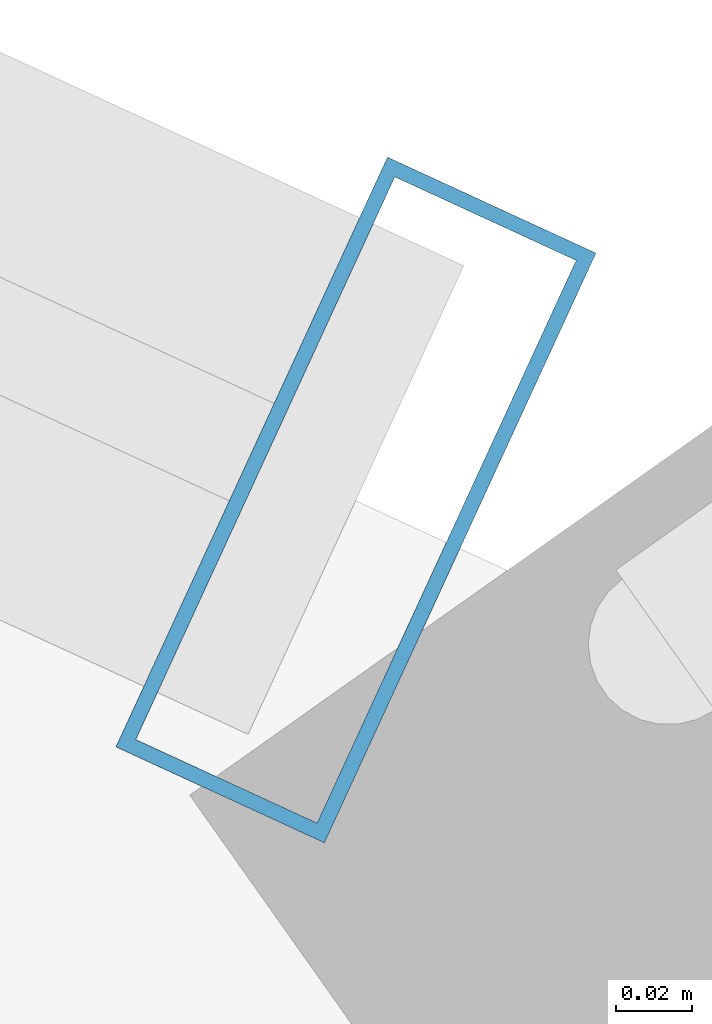
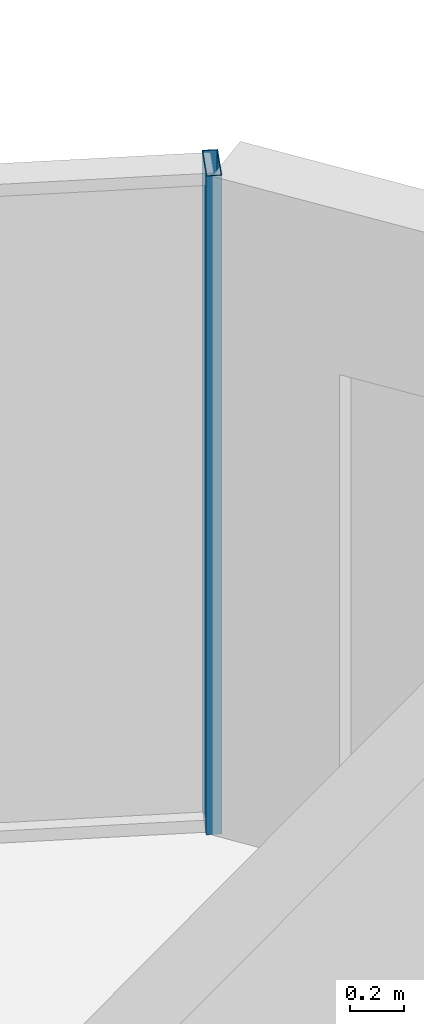
# One storey, part 26 of 33: 1 member, 1 element without a shape of its own.
"""IFC4 building model written with IfcOpenShell, lengths in metres."""

from ifc_helpers import new_model, si_unit, direction, frame, origin, origin_2d, place, context, subcontext, project, spatial, hollow_rectangle, extrude, source, transform, mapped, material, layer, layer_set, material_profile, profile_set, type_object, element, aggregate, save


model = new_model("IFC4")

# Units and contexts
model_context = context("Model", 3, precision=1e-05, world=origin(), true_north=direction((0.0, 1.0)))
body_context = subcontext(model_context, "Body", "Model", "MODEL_VIEW")
ifc_project = project(units=[si_unit("LENGTHUNIT", "METRE"), si_unit("AREAUNIT", "SQUARE_METRE"), si_unit("VOLUMEUNIT", "CUBIC_METRE"), si_unit("PLANEANGLEUNIT", "RADIAN"), si_unit("MASSUNIT", "GRAM", prefix="KILO")], contexts=[model_context])

# Site, building, storey
site_placement = place(None, origin())
site = spatial("IfcSite", under=ifc_project, at=site_placement, CompositionType="ELEMENT")
building_placement = place(site_placement, origin())
building = spatial("IfcBuilding", under=site, at=building_placement, Name="Veraguas Prism Commons", CompositionType="ELEMENT")
storey_placement = place(building_placement, frame((0.0, 0.0, 145.75)))
storey = spatial("IfcBuildingStorey", under=building, at=storey_placement, Name="L41", CompositionType="ELEMENT", Elevation=145.75)

# Curtain wall, member
ifc_material = material(Name="Anodised aluminium EN AW-6063 T6", Category="aluminium")
ifc_layer = layer(ifc_material, 0.169921875, Name="Unitised Flush Curtain Wall Zone 2", Category="aluminium")
ifc_layer_set = layer_set([ifc_layer], Name="Anodised aluminium EN AW-6063 T6")
curtain_wall_type = type_object("IfcCurtainWallType", Name="Unitised Flush Curtain Wall Zone 2", PredefinedType="NOTDEFINED", material=ifc_layer_set)
curtain_wall_placement = place(storey_placement, origin())
curtain_wall = element("IfcCurtainWall", 1, at=curtain_wall_placement, inside=storey, type_object=curtain_wall_type, Name="Tower Facade Curtain Wall L41-F1", PredefinedType="NOTDEFINED")
ifc_material_profile = material_profile(ifc_material, hollow_rectangle(XDim=0.06005859375, YDim=0.169921875, WallThickness=0.00390625, at=origin_2d()), Name="AL60X170X4")
ifc_profile_set = profile_set([ifc_material_profile], Name="Anodised aluminium EN AW-6063 T6")
member_type = type_object("IfcMemberType", Name="Curtain Wall Mullion Lower AL 60x170x4", PredefinedType="MULLION", material=ifc_profile_set)
shared_shape = source(origin(), body_context, "Body", "SweptSolid", [
    extrude(hollow_rectangle(XDim=0.06005859375, YDim=0.169921875, WallThickness=0.00390625, at=origin_2d()), origin(), (0.0, 0.0, 1.0), 3.0),
])
member_placement = place(storey_placement, frame((39.822021484375, 37.833740234375, 0.0), z_axis=(0.0, 0.0, 1.0), x_axis=(-0.908362988922, 0.418182592124, 0.0)))
member = element("IfcMember", 2, at=member_placement, type_object=member_type, Name="CW-Z2 Mullion 1", PredefinedType="MULLION", context=body_context, shape_type="MappedRepresentation", body=[
    mapped(shared_shape, transform((0.0, 0.0, 0.0), scale=1.0)),
])
aggregate(curtain_wall, [member])

save(model, "model.ifc")
